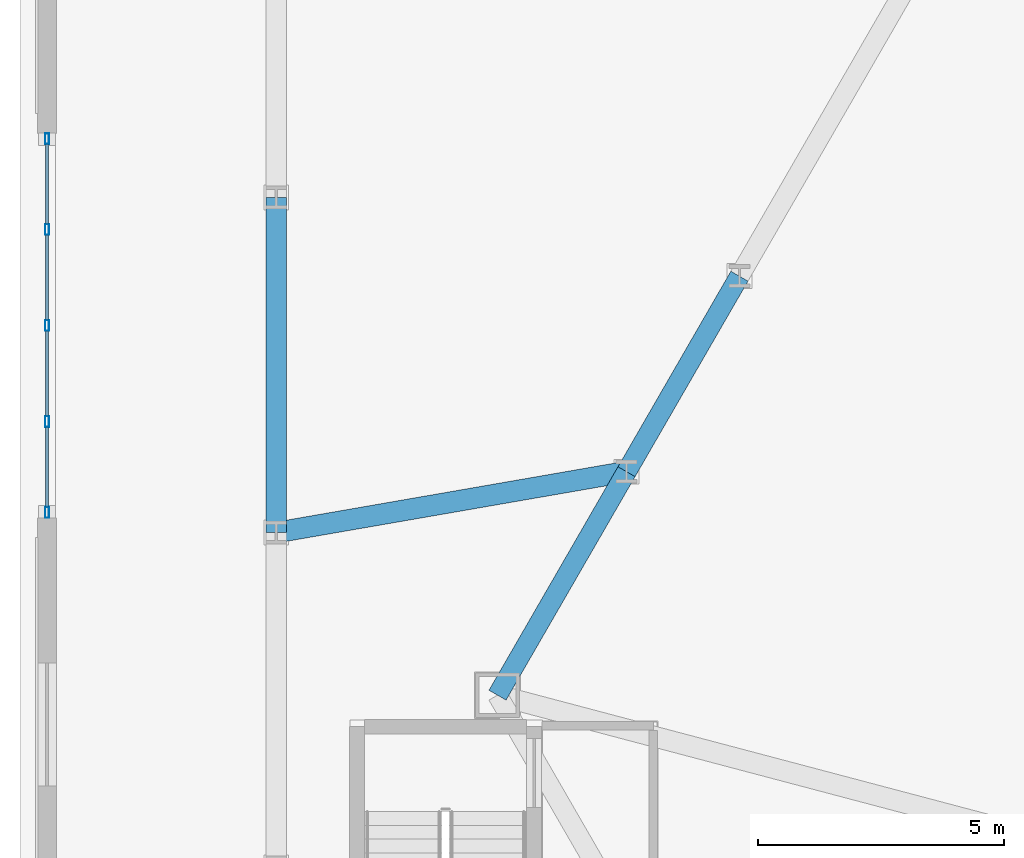
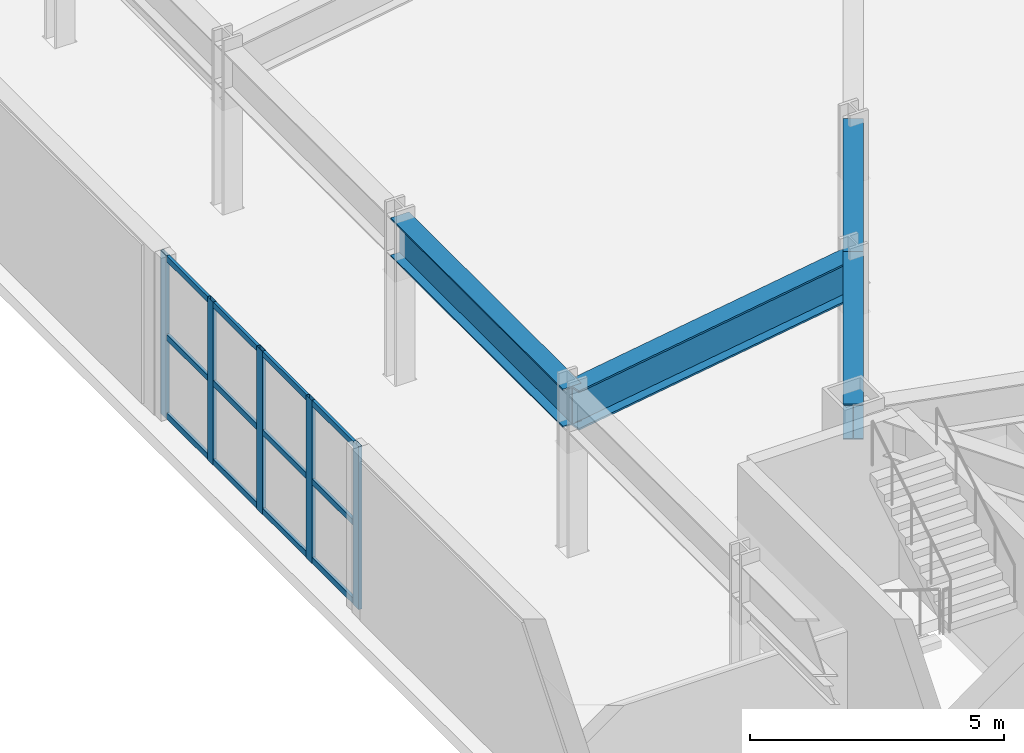
# One storey, part 4 of 22: 17 members, 4 beams, 1 element without a shape of its own.
"""IFC4 building model written with IfcOpenShell, lengths in metres."""

from ifc_helpers import new_model, si_unit, direction, frame, origin, origin_2d, place, context, subcontext, project, spatial, hollow_rectangle, i_section, extrude, material, layer, layer_set, material_profile, profile_set, type_object, element, aggregate, save


model = new_model("IFC4")

# Units and contexts
model_context = context("Model", 3, precision=1e-05, world=origin(), true_north=direction((0.0, 1.0)))
body_context = subcontext(model_context, "Body", "Model", "MODEL_VIEW")
ifc_project = project(units=[si_unit("LENGTHUNIT", "METRE"), si_unit("AREAUNIT", "SQUARE_METRE"), si_unit("VOLUMEUNIT", "CUBIC_METRE"), si_unit("PLANEANGLEUNIT", "RADIAN"), si_unit("MASSUNIT", "GRAM", prefix="KILO")], contexts=[model_context])

# Site, building, storey
site_placement = place(None, origin())
site = spatial("IfcSite", under=ifc_project, at=site_placement, CompositionType="ELEMENT")
building_placement = place(site_placement, origin())
building = spatial("IfcBuilding", under=site, at=building_placement, Name="Oramaril Tower", CompositionType="ELEMENT")
storey_placement = place(building_placement, frame((0.0, 0.0, 14.10009765625)))
storey = spatial("IfcBuildingStorey", under=building, at=storey_placement, Name="L03", CompositionType="ELEMENT", Elevation=14.10009765625)

# Beams
ifc_material_1 = material(Name="Steel ASTM A572 Gr 50", Category="steel")
ifc_material_profile_1 = material_profile(ifc_material_1, i_section(OverallWidth=0.424072265625, OverallDepth=0.947021484375, WebThickness=0.02392578125, FlangeThickness=0.042724609375, at=origin_2d()), Name="W36X302")
ifc_profile_set_1 = profile_set([ifc_material_profile_1], Name="Steel ASTM A572 Gr 50")
beam_type_1 = type_object("IfcBeamType", Name="BT-PG1", PredefinedType="BEAM", material=ifc_profile_set_1)
beam_1_placement = place(storey_placement, frame((8.60009765625, 18.60009765625, 3.4462890625), z_axis=(0.985251471122, 0.171112649011, 0.0), x_axis=(-0.171112649011, 0.985251471122, 0.0)))
element("IfcBeam", 1, at=beam_1_placement, inside=storey, type_object=beam_type_1, Name="L03 Podium Clear-Span Girder 03", PredefinedType="BEAM", context=body_context, shape_type="SweptSolid", body=[
    extrude(i_section(OverallWidth=0.424072265625, OverallDepth=0.947021484375, WebThickness=0.02392578125, FlangeThickness=0.042724609375, at=origin_2d()), origin(), (0.0, 0.0, 1.0), 7.2138671875),
])
ifc_material_2 = material(Name="Steel ASTM A572 Gr 50", Category="steel")
ifc_material_profile_2 = material_profile(ifc_material_2, i_section(OverallWidth=0.4189453125, OverallDepth=0.927001953125, WebThickness=0.019287109375, FlangeThickness=0.031982421875, at=origin_2d()), Name="W36X231")
ifc_profile_set_2 = profile_set([ifc_material_profile_2], Name="Steel ASTM A572 Gr 50")
beam_type_2 = type_object("IfcBeamType", Name="BT-PG2", PredefinedType="BEAM", material=ifc_profile_set_2)
beam_2_placement = place(storey_placement, frame((8.60009765625, 18.60009765625, 3.456298828125), z_axis=(0.0, 1.0, 0.0), x_axis=(-1.0, 0.0, 0.0)))
element("IfcBeam", 2, at=beam_2_placement, inside=storey, type_object=beam_type_2, Name="L03 Podium Perimeter Girder 03", PredefinedType="BEAM", context=body_context, shape_type="SweptSolid", body=[
    extrude(i_section(OverallWidth=0.4189453125, OverallDepth=0.927001953125, WebThickness=0.019287109375, FlangeThickness=0.031982421875, at=origin_2d()), origin(), (0.0, 0.0, 1.0), 6.7998046875),
])
ifc_material_3 = material(Name="Steel ASTM A572 Gr 50", Category="steel")
ifc_material_profile_3 = material_profile(ifc_material_3, i_section(OverallWidth=0.40087890625, OverallDepth=0.85595703125, WebThickness=0.018310546875, FlangeThickness=0.029296875, at=origin_2d()), Name="W33X201")
ifc_profile_set_3 = profile_set([ifc_material_profile_3], Name="Steel ASTM A572 Gr 50")
beam_type_3 = type_object("IfcBeamType", Name="BT-SP1", PredefinedType="SPANDREL", material=ifc_profile_set_3)
beam_3_placement = place(storey_placement, frame((17.998291015625, 23.802001953125, 3.491943359375), z_axis=(-0.500019215235, -0.866014309579, 0.0), x_axis=(0.866014309579, -0.500019215235, 0.0)))
element("IfcBeam", 3, at=beam_3_placement, inside=storey, type_object=beam_type_3, Name="L03 Perimeter Spandrel 17", PredefinedType="SPANDREL", context=body_context, shape_type="SweptSolid", body=[
    extrude(i_section(OverallWidth=0.40087890625, OverallDepth=0.85595703125, WebThickness=0.018310546875, FlangeThickness=0.029296875, at=origin_2d()), origin(), (0.0, 0.0, 1.0), 4.581298828125),
])
beam_4_placement = place(storey_placement, frame((15.70751953125, 19.83447265625, 3.491943359375), z_axis=(-0.499995574394, -0.866027958894, 0.0), x_axis=(0.866027958894, -0.499995574394, 0.0)))
element("IfcBeam", 4, at=beam_4_placement, inside=storey, type_object=beam_type_3, Name="L03 Perimeter Spandrel 18", PredefinedType="SPANDREL", context=body_context, shape_type="SweptSolid", body=[
    extrude(i_section(OverallWidth=0.40087890625, OverallDepth=0.85595703125, WebThickness=0.018310546875, FlangeThickness=0.029296875, at=origin_2d()), origin(), (0.0, 0.0, 1.0), 5.23583984375),
])

# Curtain wall, members
ifc_material_4 = material(Name="Anodised Aluminium 6063-T6", Category="aluminium")
ifc_layer = layer(ifc_material_4, 0.219970703125)
ifc_layer_set = layer_set([ifc_layer], Name="CWT-SYS2")
curtain_wall_type = type_object("IfcCurtainWallType", Name="CWT-SYS2", PredefinedType="NOTDEFINED", material=ifc_layer_set)
curtain_wall_placement = place(storey_placement, origin())
curtain_wall = element("IfcCurtainWall", 5, at=curtain_wall_placement, inside=storey, type_object=curtain_wall_type, Name="L03 Unitised Curtain Wall CW-2", PredefinedType="NOTDEFINED")
ifc_material_5 = material(Name="Anodised Aluminium 6063-T6", Category="aluminium")
ifc_material_profile_4 = material_profile(ifc_material_5, hollow_rectangle(XDim=0.080078125, YDim=0.219970703125, WallThickness=0.00390625, at=origin_2d()), Name="CWM220X80")
ifc_profile_set_4 = profile_set([ifc_material_profile_4], Name="Anodised Aluminium 6063-T6")
member_type_1 = type_object("IfcMemberType", Name="MT-CWM1", PredefinedType="MULLION", material=ifc_profile_set_4)
member_1_placement = place(storey_placement, frame((3.949951171875, 26.590087890625, 0.0), z_axis=(0.0, 0.0, 1.0), x_axis=(1.0, 0.0, 0.0)))
member_1 = element("IfcMember", 6, at=member_1_placement, type_object=member_type_1, Name="CW-2 mullion 1", PredefinedType="MULLION", context=body_context, shape_type="SweptSolid", body=[
    extrude(hollow_rectangle(XDim=0.080078125, YDim=0.219970703125, WallThickness=0.00390625, at=origin_2d()), origin(), (0.0, 0.0, 1.0), 3.919921875),
])
member_2_placement = place(storey_placement, frame((3.949951171875, 24.75, 0.0), z_axis=(0.0, 0.0, 1.0), x_axis=(1.0, 0.0, 0.0)))
member_2 = element("IfcMember", 7, at=member_2_placement, type_object=member_type_1, Name="CW-2 mullion 2", PredefinedType="MULLION", context=body_context, shape_type="SweptSolid", body=[
    extrude(hollow_rectangle(XDim=0.080078125, YDim=0.219970703125, WallThickness=0.00390625, at=origin_2d()), origin(), (0.0, 0.0, 1.0), 3.919921875),
])
member_3_placement = place(storey_placement, frame((3.949951171875, 22.800048828125, 0.0), z_axis=(0.0, 0.0, 1.0), x_axis=(1.0, 0.0, 0.0)))
member_3 = element("IfcMember", 8, at=member_3_placement, type_object=member_type_1, Name="CW-2 mullion 3", PredefinedType="MULLION", context=body_context, shape_type="SweptSolid", body=[
    extrude(hollow_rectangle(XDim=0.080078125, YDim=0.219970703125, WallThickness=0.00390625, at=origin_2d()), origin(), (0.0, 0.0, 1.0), 3.919921875),
])
member_4_placement = place(storey_placement, frame((3.949951171875, 20.85009765625, 0.0), z_axis=(0.0, 0.0, 1.0), x_axis=(1.0, 0.0, 0.0)))
member_4 = element("IfcMember", 9, at=member_4_placement, type_object=member_type_1, Name="CW-2 mullion 4", PredefinedType="MULLION", context=body_context, shape_type="SweptSolid", body=[
    extrude(hollow_rectangle(XDim=0.080078125, YDim=0.219970703125, WallThickness=0.00390625, at=origin_2d()), origin(), (0.0, 0.0, 1.0), 3.919921875),
])
member_5_placement = place(storey_placement, frame((3.949951171875, 19.010009765625, 0.0), z_axis=(0.0, 0.0, 1.0), x_axis=(1.0, 0.0, 0.0)))
member_5 = element("IfcMember", 10, at=member_5_placement, type_object=member_type_1, Name="CW-2 mullion 5", PredefinedType="MULLION", context=body_context, shape_type="SweptSolid", body=[
    extrude(hollow_rectangle(XDim=0.080078125, YDim=0.219970703125, WallThickness=0.00390625, at=origin_2d()), origin(), (0.0, 0.0, 1.0), 3.919921875),
])
ifc_material_6 = material(Name="Anodised Aluminium 6063-T6", Category="aluminium")
ifc_material_profile_5 = material_profile(ifc_material_6, hollow_rectangle(XDim=0.06494140625, YDim=0.139892578125, WallThickness=0.00390625, at=origin_2d()), Name="CWT140X65")
ifc_profile_set_5 = profile_set([ifc_material_profile_5], Name="Anodised Aluminium 6063-T6")
member_type_2 = type_object("IfcMemberType", Name="MT-CWT2", PredefinedType="USERDEFINED", material=ifc_profile_set_5)
member_6_placement = place(storey_placement, frame((3.949951171875, 26.47998046875, 0.06982421875), z_axis=(0.0, -1.0, 0.0), x_axis=(1.0, 0.0, 0.0)))
member_6 = element("IfcMember", 11, at=member_6_placement, type_object=member_type_2, Name="CW-2 transom 1.1", ObjectType="TRANSOM", PredefinedType="USERDEFINED", context=body_context, shape_type="SweptSolid", body=[
    extrude(hollow_rectangle(XDim=0.06494140625, YDim=0.139892578125, WallThickness=0.00390625, at=origin_2d()), origin(), (0.0, 0.0, 1.0), 1.619873046875),
])
member_7_placement = place(storey_placement, frame((3.949951171875, 26.47998046875, 1.9599609375), z_axis=(0.0, -1.0, 0.0), x_axis=(1.0, 0.0, 0.0)))
member_7 = element("IfcMember", 12, at=member_7_placement, type_object=member_type_2, Name="CW-2 transom 1.2", ObjectType="TRANSOM", PredefinedType="USERDEFINED", context=body_context, shape_type="SweptSolid", body=[
    extrude(hollow_rectangle(XDim=0.06494140625, YDim=0.139892578125, WallThickness=0.00390625, at=origin_2d()), origin(), (0.0, 0.0, 1.0), 1.619873046875),
])
member_8_placement = place(storey_placement, frame((3.949951171875, 26.47998046875, 3.849853515625), z_axis=(0.0, -1.0, 0.0), x_axis=(1.0, 0.0, 0.0)))
member_8 = element("IfcMember", 13, at=member_8_placement, type_object=member_type_2, Name="CW-2 transom 1.3", ObjectType="TRANSOM", PredefinedType="USERDEFINED", context=body_context, shape_type="SweptSolid", body=[
    extrude(hollow_rectangle(XDim=0.06494140625, YDim=0.139892578125, WallThickness=0.00390625, at=origin_2d()), origin(), (0.0, 0.0, 1.0), 1.619873046875),
])
member_9_placement = place(storey_placement, frame((3.949951171875, 24.639892578125, 0.06982421875), z_axis=(0.0, -1.0, 0.0), x_axis=(1.0, 0.0, 0.0)))
member_9 = element("IfcMember", 14, at=member_9_placement, type_object=member_type_2, Name="CW-2 transom 2.1", ObjectType="TRANSOM", PredefinedType="USERDEFINED", context=body_context, shape_type="SweptSolid", body=[
    extrude(hollow_rectangle(XDim=0.06494140625, YDim=0.139892578125, WallThickness=0.00390625, at=origin_2d()), origin(), (0.0, 0.0, 1.0), 1.72998046875),
])
member_10_placement = place(storey_placement, frame((3.949951171875, 24.639892578125, 1.9599609375), z_axis=(0.0, -1.0, 0.0), x_axis=(1.0, 0.0, 0.0)))
member_10 = element("IfcMember", 15, at=member_10_placement, type_object=member_type_2, Name="CW-2 transom 2.2", ObjectType="TRANSOM", PredefinedType="USERDEFINED", context=body_context, shape_type="SweptSolid", body=[
    extrude(hollow_rectangle(XDim=0.06494140625, YDim=0.139892578125, WallThickness=0.00390625, at=origin_2d()), origin(), (0.0, 0.0, 1.0), 1.72998046875),
])
member_11_placement = place(storey_placement, frame((3.949951171875, 24.639892578125, 3.849853515625), z_axis=(0.0, -1.0, 0.0), x_axis=(1.0, 0.0, 0.0)))
member_11 = element("IfcMember", 16, at=member_11_placement, type_object=member_type_2, Name="CW-2 transom 2.3", ObjectType="TRANSOM", PredefinedType="USERDEFINED", context=body_context, shape_type="SweptSolid", body=[
    extrude(hollow_rectangle(XDim=0.06494140625, YDim=0.139892578125, WallThickness=0.00390625, at=origin_2d()), origin(), (0.0, 0.0, 1.0), 1.72998046875),
])
member_12_placement = place(storey_placement, frame((3.949951171875, 22.68994140625, 0.06982421875), z_axis=(0.0, -1.0, 0.0), x_axis=(1.0, 0.0, 0.0)))
member_12 = element("IfcMember", 17, at=member_12_placement, type_object=member_type_2, Name="CW-2 transom 3.1", ObjectType="TRANSOM", PredefinedType="USERDEFINED", context=body_context, shape_type="SweptSolid", body=[
    extrude(hollow_rectangle(XDim=0.06494140625, YDim=0.139892578125, WallThickness=0.00390625, at=origin_2d()), origin(), (0.0, 0.0, 1.0), 1.72998046875),
])
member_13_placement = place(storey_placement, frame((3.949951171875, 22.68994140625, 1.9599609375), z_axis=(0.0, -1.0, 0.0), x_axis=(1.0, 0.0, 0.0)))
member_13 = element("IfcMember", 18, at=member_13_placement, type_object=member_type_2, Name="CW-2 transom 3.2", ObjectType="TRANSOM", PredefinedType="USERDEFINED", context=body_context, shape_type="SweptSolid", body=[
    extrude(hollow_rectangle(XDim=0.06494140625, YDim=0.139892578125, WallThickness=0.00390625, at=origin_2d()), origin(), (0.0, 0.0, 1.0), 1.72998046875),
])
member_14_placement = place(storey_placement, frame((3.949951171875, 22.68994140625, 3.849853515625), z_axis=(0.0, -1.0, 0.0), x_axis=(1.0, 0.0, 0.0)))
member_14 = element("IfcMember", 19, at=member_14_placement, type_object=member_type_2, Name="CW-2 transom 3.3", ObjectType="TRANSOM", PredefinedType="USERDEFINED", context=body_context, shape_type="SweptSolid", body=[
    extrude(hollow_rectangle(XDim=0.06494140625, YDim=0.139892578125, WallThickness=0.00390625, at=origin_2d()), origin(), (0.0, 0.0, 1.0), 1.72998046875),
])
member_15_placement = place(storey_placement, frame((3.949951171875, 20.739990234375, 0.06982421875), z_axis=(0.0, -1.0, 0.0), x_axis=(1.0, 0.0, 0.0)))
member_15 = element("IfcMember", 20, at=member_15_placement, type_object=member_type_2, Name="CW-2 transom 4.1", ObjectType="TRANSOM", PredefinedType="USERDEFINED", context=body_context, shape_type="SweptSolid", body=[
    extrude(hollow_rectangle(XDim=0.06494140625, YDim=0.139892578125, WallThickness=0.00390625, at=origin_2d()), origin(), (0.0, 0.0, 1.0), 1.619873046875),
])
member_16_placement = place(storey_placement, frame((3.949951171875, 20.739990234375, 1.9599609375), z_axis=(0.0, -1.0, 0.0), x_axis=(1.0, 0.0, 0.0)))
member_16 = element("IfcMember", 21, at=member_16_placement, type_object=member_type_2, Name="CW-2 transom 4.2", ObjectType="TRANSOM", PredefinedType="USERDEFINED", context=body_context, shape_type="SweptSolid", body=[
    extrude(hollow_rectangle(XDim=0.06494140625, YDim=0.139892578125, WallThickness=0.00390625, at=origin_2d()), origin(), (0.0, 0.0, 1.0), 1.619873046875),
])
member_17_placement = place(storey_placement, frame((3.949951171875, 20.739990234375, 3.849853515625), z_axis=(0.0, -1.0, 0.0), x_axis=(1.0, 0.0, 0.0)))
member_17 = element("IfcMember", 22, at=member_17_placement, type_object=member_type_2, Name="CW-2 transom 4.3", ObjectType="TRANSOM", PredefinedType="USERDEFINED", context=body_context, shape_type="SweptSolid", body=[
    extrude(hollow_rectangle(XDim=0.06494140625, YDim=0.139892578125, WallThickness=0.00390625, at=origin_2d()), origin(), (0.0, 0.0, 1.0), 1.619873046875),
])
aggregate(curtain_wall, [member_1, member_2, member_3, member_4, member_5, member_6, member_7, member_8, member_9, member_10, member_11, member_12, member_13, member_14, member_15, member_16, member_17])

save(model, "model.ifc")
